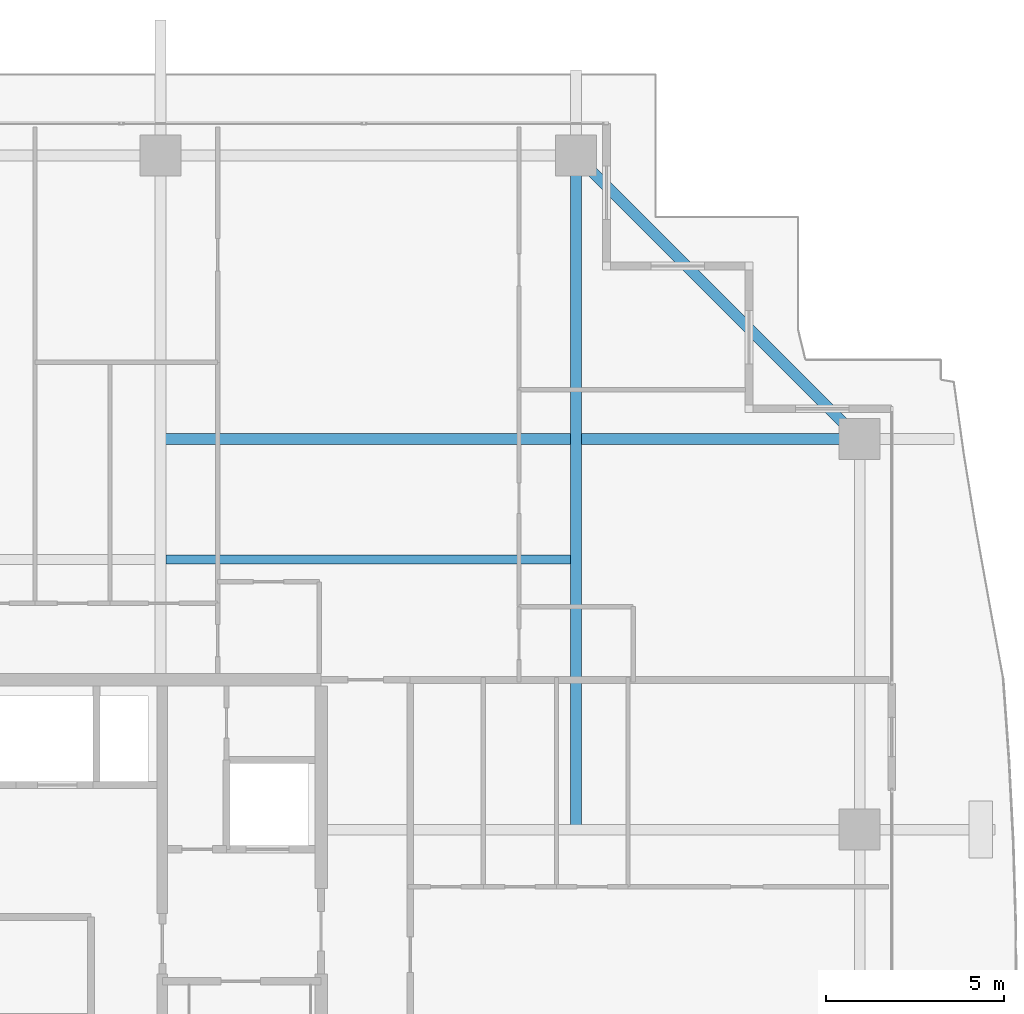
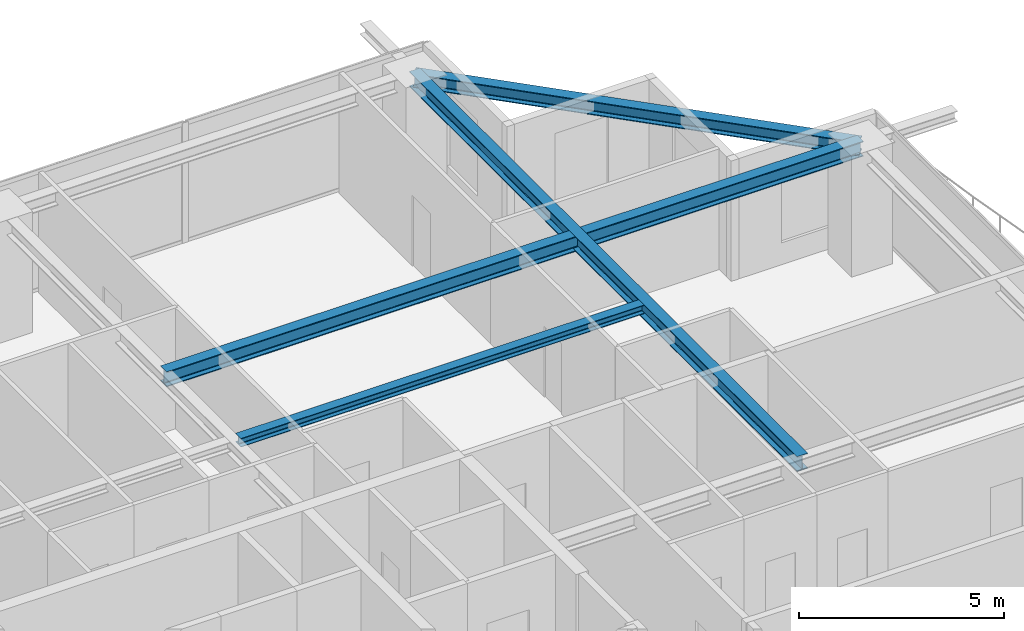
# One storey, part 22 of 38: 4 beams.
"""IFC4 building model written with IfcOpenShell, lengths in metres."""

from ifc_helpers import new_model, si_unit, direction, frame, origin, origin_2d, place, context, subcontext, project, spatial, i_section, extrude, source, transform, mapped, material, material_profile, profile_set, type_object, element, save


model = new_model("IFC4")

# Units and contexts
model_context = context("Model", 3, precision=1e-05, world=origin(), true_north=direction((0.0, 1.0)))
body_context = subcontext(model_context, "Body", "Model", "MODEL_VIEW")
ifc_project = project(units=[si_unit("LENGTHUNIT", "METRE"), si_unit("AREAUNIT", "SQUARE_METRE"), si_unit("VOLUMEUNIT", "CUBIC_METRE"), si_unit("PLANEANGLEUNIT", "RADIAN"), si_unit("MASSUNIT", "GRAM", prefix="KILO")], contexts=[model_context])

# Site, building, storey
site_placement = place(None, origin())
site = spatial("IfcSite", under=ifc_project, at=site_placement, CompositionType="ELEMENT")
building_placement = place(site_placement, origin())
building = spatial("IfcBuilding", under=site, at=building_placement, Name="Serunith Strait Residences", CompositionType="ELEMENT")
storey_placement = place(building_placement, frame((0.0, 0.0, 229.699951171875)))
storey = spatial("IfcBuildingStorey", under=building, at=storey_placement, Name="L57", CompositionType="ELEMENT", Elevation=229.699951171875)

# Beams
ifc_material = material(Name="Steel S355J2", Category="steel")
ifc_material_profile_1 = material_profile(ifc_material, i_section(OverallWidth=0.300048828125, OverallDepth=0.449951171875, WebThickness=0.013916015625, FlangeThickness=0.02587890625, FilletRadius=0.027099609375, at=origin_2d()), Name="HEB 450")
ifc_profile_set_1 = profile_set([ifc_material_profile_1], Name="Steel S355J2")
beam_type_1 = type_object("IfcBeamType", Name="BM-HEB450", PredefinedType="BEAM", material=ifc_profile_set_1)
shared_shape_1 = source(origin(), body_context, "Body", "SweptSolid", [
    extrude(i_section(OverallWidth=0.300048828125, OverallDepth=0.449951171875, WebThickness=0.013916015625, FlangeThickness=0.02587890625, FilletRadius=0.027099609375, at=origin_2d()), origin(), (0.0, 0.0, 1.0), 18.900146484375),
])
beam_1_placement = place(storey_placement, frame((48.550048828125, 29.39990234375, 3.362060546875), z_axis=(0.0, 1.0, 0.0), x_axis=(-1.0, 0.0, 0.0)))
element("IfcBeam", 1, at=beam_1_placement, inside=storey, type_object=beam_type_1, Name="L57 Orthogonal Corner Girder TC-N4", PredefinedType="BEAM", context=body_context, shape_type="MappedRepresentation", body=[
    mapped(shared_shape_1, transform((0.0, 0.0, 0.0), scale=1.0)),
])
shared_shape_2 = source(origin(), body_context, "Body", "SweptSolid", [
    extrude(i_section(OverallWidth=0.300048828125, OverallDepth=0.449951171875, WebThickness=0.013916015625, FlangeThickness=0.02587890625, FilletRadius=0.027099609375, at=origin_2d()), origin(), (0.0, 0.0, 1.0), 19.60009765625),
])
beam_2_placement = place(storey_placement, frame((36.89990234375, 40.35009765625, 3.362060546875), z_axis=(1.0, 0.0, 0.0), x_axis=(0.0, 1.0, 0.0)))
element("IfcBeam", 2, at=beam_2_placement, inside=storey, type_object=beam_type_1, Name="L57 Orthogonal Corner Girder TC-E4", PredefinedType="BEAM", context=body_context, shape_type="MappedRepresentation", body=[
    mapped(shared_shape_2, transform((0.0, 0.0, 0.0), scale=1.0)),
])
ifc_material_profile_2 = material_profile(ifc_material, i_section(OverallWidth=0.300048828125, OverallDepth=0.39990234375, WebThickness=0.013427734375, FlangeThickness=0.02392578125, FilletRadius=0.027099609375, at=origin_2d()), Name="HEB 400")
ifc_profile_set_2 = profile_set([ifc_material_profile_2], Name="Steel S355J2")
beam_type_2 = type_object("IfcBeamType", Name="BM-HEB400", PredefinedType="BEAM", material=ifc_profile_set_2)
shared_shape_3 = source(origin(), body_context, "Body", "SweptSolid", [
    extrude(i_section(OverallWidth=0.300048828125, OverallDepth=0.39990234375, WebThickness=0.013427734375, FlangeThickness=0.02392578125, FilletRadius=0.027099609375, at=origin_2d()), origin(), (0.0, 0.0, 1.0), 11.242919921875),
])
beam_3_placement = place(storey_placement, frame((56.5, 40.35009765625, 3.35693359375), z_axis=(-0.707106781187, 0.707106781187, 0.0), x_axis=(-0.707106781187, -0.707106781187, 0.0)))
element("IfcBeam", 3, at=beam_3_placement, inside=storey, type_object=beam_type_2, Name="L57 Perimeter Ring Beam 08", PredefinedType="BEAM", context=body_context, shape_type="MappedRepresentation", body=[
    mapped(shared_shape_3, transform((0.0, 0.0, 0.0), scale=1.0)),
])
ifc_material_profile_3 = material_profile(ifc_material, i_section(OverallWidth=0.260009765625, OverallDepth=0.260009765625, WebThickness=0.010009765625, FlangeThickness=0.017578125, FilletRadius=0.02392578125, at=origin_2d()), Name="HEB 260")
ifc_profile_set_3 = profile_set([ifc_material_profile_3], Name="Steel S355J2")
beam_type_3 = type_object("IfcBeamType", Name="BM-HEB260", PredefinedType="JOIST", material=ifc_profile_set_3)
shared_shape_4 = source(origin(), body_context, "Body", "SweptSolid", [
    extrude(i_section(OverallWidth=0.260009765625, OverallDepth=0.260009765625, WebThickness=0.010009765625, FlangeThickness=0.017578125, FilletRadius=0.02392578125, at=origin_2d()), origin(), (0.0, 0.0, 1.0), 11.349853515625),
])
beam_4_placement = place(storey_placement, frame((37.050048828125, 36.97509765625, 3.45703125), z_axis=(1.0, 0.0, 0.0), x_axis=(0.0, 1.0, 0.0)))
element("IfcBeam", 4, at=beam_4_placement, inside=storey, type_object=beam_type_3, Name="L57 Composite Floor Joist 06", PredefinedType="JOIST", context=body_context, shape_type="MappedRepresentation", body=[
    mapped(shared_shape_4, transform((0.0, 0.0, 0.0), scale=1.0)),
])

save(model, "model.ifc")
